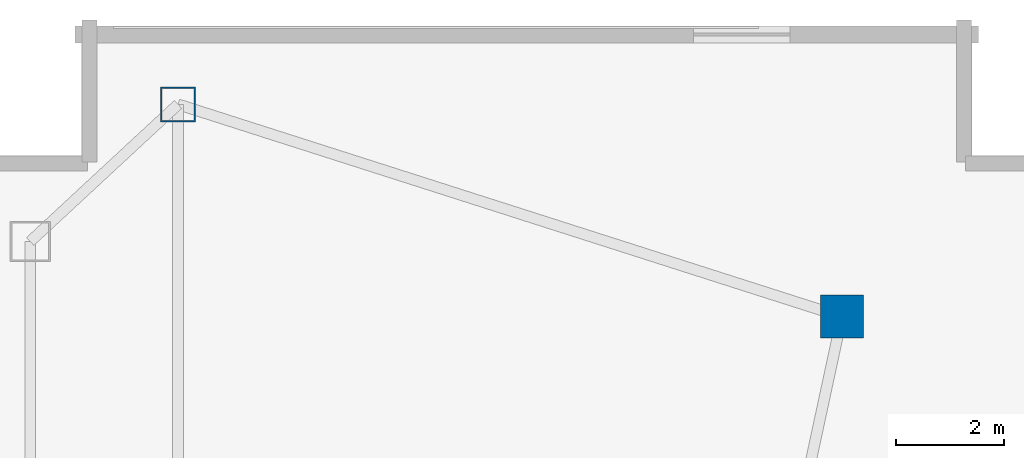
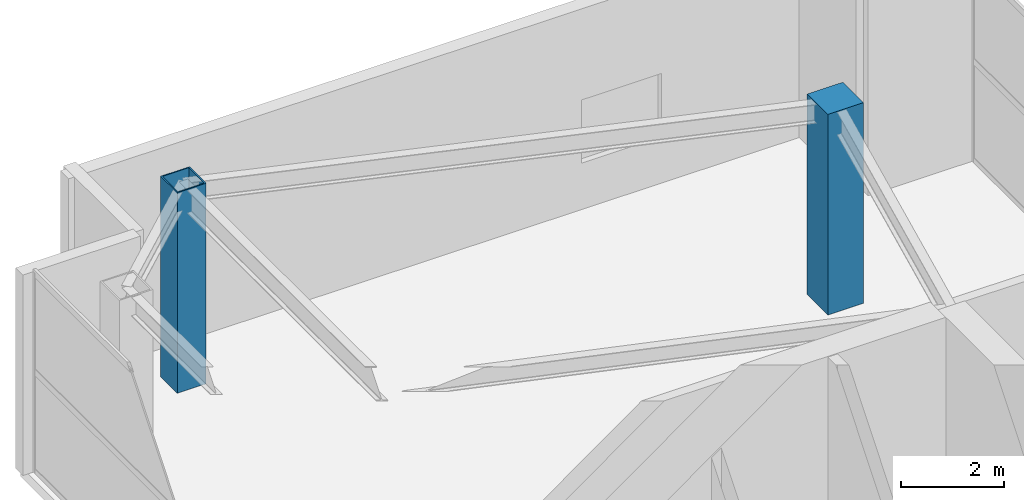
# One storey, part 2 of 20: 2 columns.
"""IFC4 building model written with IfcOpenShell, lengths in metres."""

from ifc_helpers import new_model, si_unit, direction, frame, origin, origin_2d, place, context, subcontext, project, spatial, rectangle, hollow_rectangle, extrude, material, material_profile, profile_set, type_object, element, save


model = new_model("IFC4")

# Units and contexts
model_context = context("Model", 3, precision=1e-05, world=origin(), true_north=direction((0.0, 1.0)))
body_context = subcontext(model_context, "Body", "Model", "MODEL_VIEW")
ifc_project = project(units=[si_unit("LENGTHUNIT", "METRE"), si_unit("AREAUNIT", "SQUARE_METRE"), si_unit("VOLUMEUNIT", "CUBIC_METRE"), si_unit("PLANEANGLEUNIT", "RADIAN"), si_unit("MASSUNIT", "GRAM", prefix="KILO")], contexts=[model_context])

# Site, building, storey
site_placement = place(None, origin())
site = spatial("IfcSite", under=ifc_project, at=site_placement, CompositionType="ELEMENT")
building_placement = place(site_placement, origin())
building = spatial("IfcBuilding", under=site, at=building_placement, Name="Calvorn Quay Hotel", CompositionType="ELEMENT")
storey_placement = place(building_placement, frame((0.0, 0.0, 340.5)))
storey = spatial("IfcBuildingStorey", under=building, at=storey_placement, Name="L83", CompositionType="ELEMENT", Elevation=340.5)

# Columns
ifc_material_1 = material(Name="Concrete C45", Category="concrete")
ifc_material_profile_1 = material_profile(ifc_material_1, rectangle(XDim=0.800048828125, YDim=0.800048828125, at=origin_2d()), Name="RC800x800")
ifc_profile_set_1 = profile_set([ifc_material_profile_1], Name="Concrete C45")
column_type_1 = type_object("IfcColumnType", Name="COL-RC-800", PredefinedType="COLUMN", material=ifc_profile_set_1)
column_1_placement = place(storey_placement, frame((16.550048828125, 45.60009765625, 0.0), z_axis=(0.0, 0.0, 1.0), x_axis=(1.0, 0.0, 0.0)))
element("IfcColumn", 1, at=column_1_placement, inside=storey, type_object=column_type_1, Name="Column C-IC1 (L83)", PredefinedType="COLUMN", context=body_context, shape_type="SweptSolid", body=[
    extrude(rectangle(XDim=0.800048828125, YDim=0.800048828125, at=origin_2d()), origin(), (0.0, 0.0, 1.0), 4.760009765625),
])
ifc_material_2 = material(Name="Steel Q355B", Category="steel")
ifc_material_profile_2 = material_profile(ifc_material_2, hollow_rectangle(XDim=0.64990234375, YDim=0.64990234375, WallThickness=0.028076171875, at=origin_2d()), Name="BOX650x650x28")
ifc_profile_set_2 = profile_set([ifc_material_profile_2], Name="Steel Q355B")
column_type_2 = type_object("IfcColumnType", Name="COL-STL-Z4", PredefinedType="COLUMN", material=ifc_profile_set_2)
column_2_placement = place(storey_placement, frame((4.199951171875, 49.550048828125, 0.0), z_axis=(0.0, 0.0, 1.0), x_axis=(1.0, 0.0, 0.0)))
element("IfcColumn", 2, at=column_2_placement, inside=storey, type_object=column_type_2, Name="Column C-NW1 (L83)", PredefinedType="COLUMN", context=body_context, shape_type="SweptSolid", body=[
    extrude(hollow_rectangle(XDim=0.64990234375, YDim=0.64990234375, WallThickness=0.028076171875, at=origin_2d()), origin(), (0.0, 0.0, 1.0), 4.760009765625),
])

save(model, "model.ifc")
